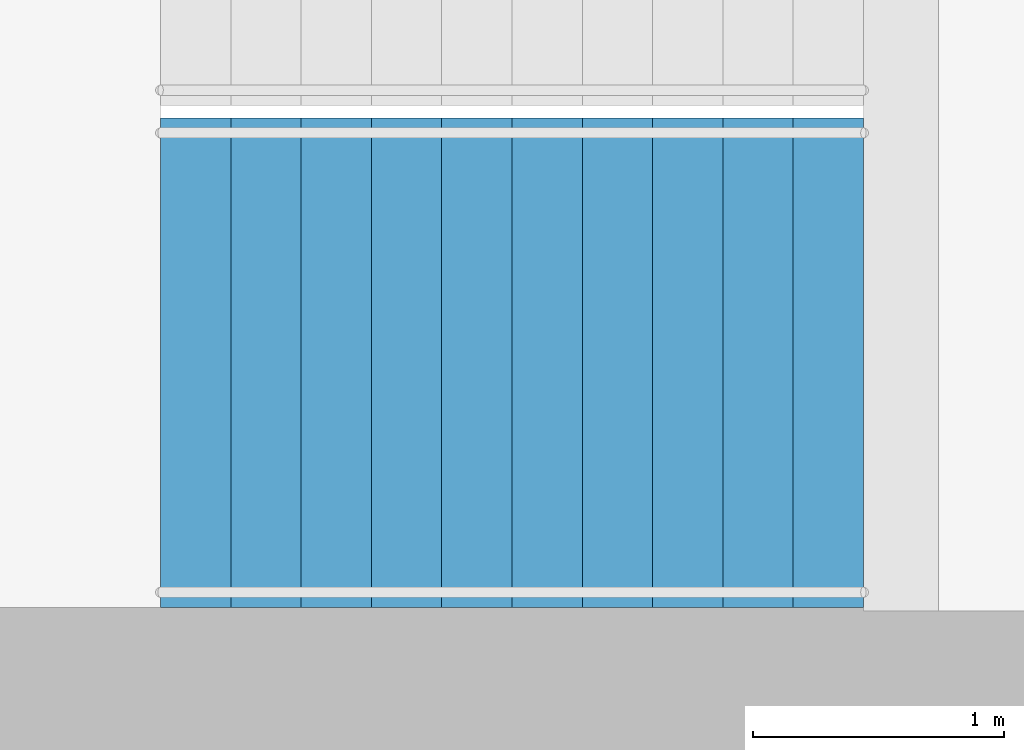
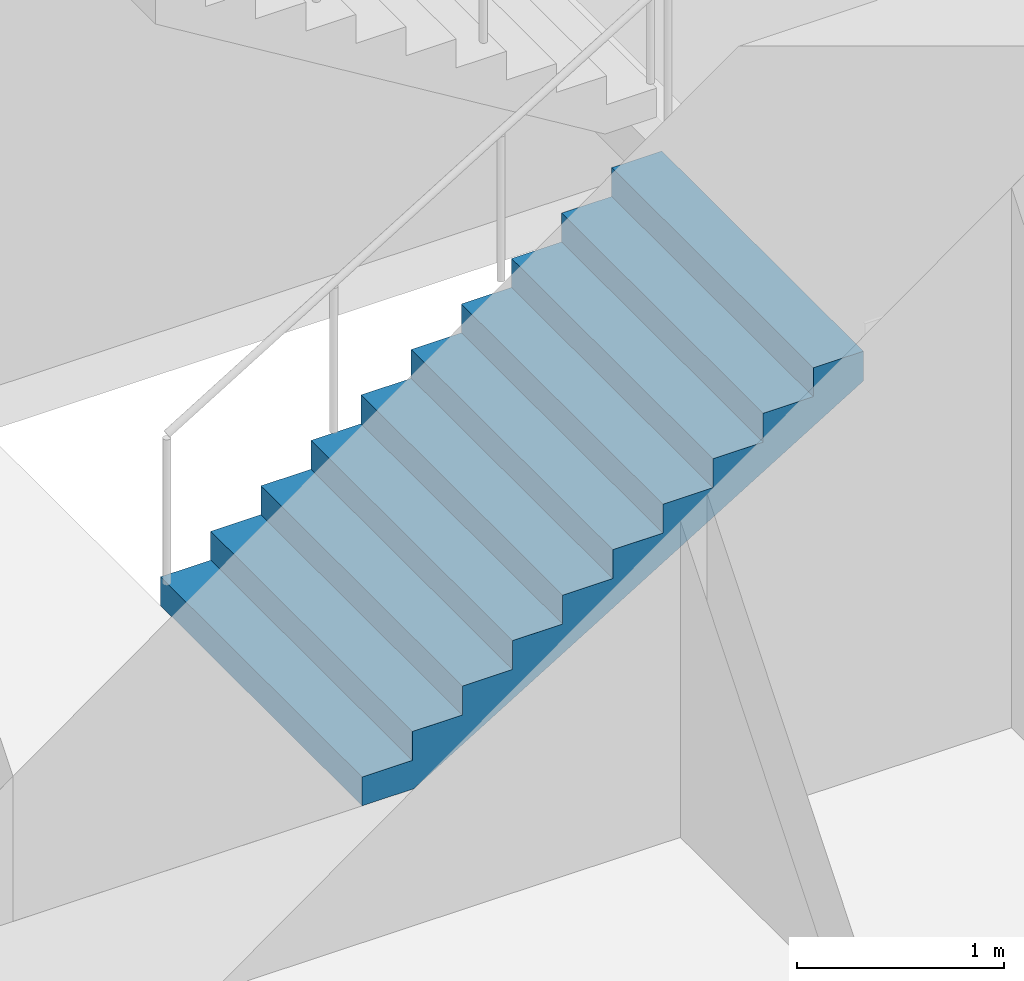
# One storey, part 19 of 23: 1 stair flight, 1 element without a shape of its own.
"""IFC4 building model written with IfcOpenShell, lengths in metres."""

from ifc_helpers import new_model, si_unit, direction, frame, origin, place, context, subcontext, project, spatial, triangles, material, type_object, element, aggregate, save


model = new_model("IFC4")

# Units and contexts
model_context = context("Model", 3, precision=1e-05, world=origin(), true_north=direction((0.0, 1.0)))
body_context = subcontext(model_context, "Body", "Model", "MODEL_VIEW")
ifc_project = project(units=[si_unit("LENGTHUNIT", "METRE"), si_unit("AREAUNIT", "SQUARE_METRE"), si_unit("VOLUMEUNIT", "CUBIC_METRE"), si_unit("PLANEANGLEUNIT", "RADIAN"), si_unit("MASSUNIT", "GRAM", prefix="KILO")], contexts=[model_context])

# Site, building, storey
site_placement = place(None, origin())
site = spatial("IfcSite", under=ifc_project, at=site_placement, CompositionType="ELEMENT")
building_placement = place(site_placement, origin())
building = spatial("IfcBuilding", under=site, at=building_placement, Name="Orbita Commons", CompositionType="ELEMENT")
storey_placement = place(building_placement, frame((0.0, 0.0, 61.449951171875)))
storey = spatial("IfcBuildingStorey", under=building, at=storey_placement, Name="L15", CompositionType="ELEMENT", Elevation=61.449951171875)

# Stair, stair flight
ifc_material_1 = material(Name="Precast concrete C40/50", Category="concrete")
stair_type = type_object("IfcStairType", Name="Exit stair S1 2 flights 11 risers 170", PredefinedType="HALF_TURN_STAIR", material=ifc_material_1)
stair_placement = place(storey_placement, origin())
stair = element("IfcStair", 1, at=stair_placement, inside=storey, type_object=stair_type, Name="Exit stair S1 L15", PredefinedType="HALF_TURN_STAIR")
ifc_material_2 = material(Name="Precast concrete C40/50", Category="concrete")
stair_flight_type = type_object("IfcStairFlightType", Name="Stair flight 11 risers 170 x 280", PredefinedType="STRAIGHT", material=ifc_material_2)
stair_flight_placement = place(storey_placement, frame((20.449951171875, 27.27490234375, 0.0), z_axis=(0.0, 0.0, 1.0), x_axis=(1.0, 0.0, 0.0)))
stair_flight = element("IfcStairFlight", 2, at=stair_flight_placement, type_object=stair_flight_type, Name="S1 flight 1", NumberOfRisers=11, NumberOfTreads=10, PredefinedType="STRAIGHT", RiserHeight=0.170454545, TreadLength=0.28, context=body_context, shape_type="Tessellation", body=[
    triangles([(0.0, 0.974976, 0.0), (0.0, 0.974976, 0.021307), (0.0, 0.81248, 0.021307), (0.0, 0.81248, 0.0), (0.0, 0.649984, 0.021307), (0.0, 0.649984, 0.0), (0.0, 0.487488, 0.021307), (0.0, 0.487488, 0.0), (0.0, 0.324992, 0.021307), (0.0, 0.324992, 0.0), (0.0, 0.162496, 0.021307), (0.0, 0.162496, 0.0), (0.0, 0.0, 0.021307), (0.0, 0.0, 0.0), (0.0, -0.162496, 0.021307), (0.0, -0.162496, 0.0), (0.0, -0.324992, 0.021307), (0.0, -0.324992, 0.0), (0.0, -0.487488, 0.021307), (0.0, -0.487488, 0.0), (0.0, -0.649984, 0.021307), (0.0, -0.649984, 0.0), (0.0, -0.81248, 0.021307), (0.0, -0.81248, 0.0), (0.0, -0.974976, 0.021307), (0.0, -0.974976, 0.0), (0.0, 0.974976, 0.042614), (0.0, 0.81248, 0.042614), (0.0, 0.649984, 0.042614), (0.0, 0.487488, 0.042614), (0.0, 0.324992, 0.042614), (0.0, 0.162496, 0.042614), (0.0, 0.0, 0.042614), (0.0, -0.162496, 0.042614), (0.0, -0.324992, 0.042614), (0.0, -0.487488, 0.042614), (0.0, -0.649984, 0.042614), (0.0, -0.81248, 0.042614), (0.0, -0.974976, 0.042614), (0.0, 0.974976, 0.06392), (0.0, 0.81248, 0.06392), (0.0, 0.649984, 0.06392), (0.0, 0.487488, 0.06392), (0.0, 0.324992, 0.06392), (0.0, 0.162496, 0.06392), (0.0, 0.0, 0.06392), (0.0, -0.162496, 0.06392), (0.0, -0.324992, 0.06392), (0.0, -0.487488, 0.06392), (0.0, -0.649984, 0.06392), (0.0, -0.81248, 0.06392), (0.0, -0.974976, 0.06392), (0.0, 0.974976, 0.085227), (0.0, 0.81248, 0.085227), (0.0, 0.649984, 0.085227), (0.0, 0.487488, 0.085227), (0.0, 0.324992, 0.085227), (0.0, 0.162496, 0.085227), (0.0, 0.0, 0.085227), (0.0, -0.162496, 0.085227), (0.0, -0.324992, 0.085227), (0.0, -0.487488, 0.085227), (0.0, -0.649984, 0.085227), (0.0, -0.81248, 0.085227), (0.0, -0.974976, 0.085227), (0.0, 0.974976, 0.106534), (0.0, 0.81248, 0.106534), (0.0, 0.649984, 0.106534), (0.0, 0.487488, 0.106534), (0.0, 0.324992, 0.106534), (0.0, 0.162496, 0.106534), (0.0, 0.0, 0.106534), (0.0, -0.162496, 0.106534), (0.0, -0.324992, 0.106534), (0.0, -0.487488, 0.106534), (0.0, -0.649984, 0.106534), (0.0, -0.81248, 0.106534), (0.0, -0.974976, 0.106534), (0.0, 0.974976, 0.127841), (0.0, 0.81248, 0.127841), (0.0, 0.649984, 0.127841), (0.0, 0.487488, 0.127841), (0.0, 0.324992, 0.127841), (0.0, 0.162496, 0.127841), (0.0, 0.0, 0.127841), (0.0, -0.162496, 0.127841), (0.0, -0.324992, 0.127841), (0.0, -0.487488, 0.127841), (0.0, -0.649984, 0.127841), (0.0, -0.81248, 0.127841), (0.0, -0.974976, 0.127841), (0.0, 0.974976, 0.149148), (0.0, 0.81248, 0.149148), (0.0, 0.649984, 0.149148), (0.0, 0.487488, 0.149148), (0.0, 0.324992, 0.149148), (0.0, 0.162496, 0.149148), (0.0, 0.0, 0.149148), (0.0, -0.162496, 0.149148), (0.0, -0.324992, 0.149148), (0.0, -0.487488, 0.149148), (0.0, -0.649984, 0.149148), (0.0, -0.81248, 0.149148), (0.0, -0.974976, 0.149148), (0.0, 0.974976, 0.170455), (0.0, 0.81248, 0.170455), (0.0, 0.649984, 0.170455), (0.0, 0.487488, 0.170455), (0.0, 0.324992, 0.170455), (0.0, 0.162496, 0.170455), (0.0, 0.0, 0.170455), (0.0, -0.162496, 0.170455), (0.0, -0.324992, 0.170455), (0.0, -0.487488, 0.170455), (0.0, -0.649984, 0.170455), (0.0, -0.81248, 0.170455), (0.0, -0.974976, 0.170455), (0.28, 0.974976, 0.170455), (0.28, 0.81248, 0.170455), (0.28, 0.649984, 0.170455), (0.28, 0.487488, 0.170455), (0.28, 0.324992, 0.170455), (0.28, 0.162496, 0.170455), (0.28, 0.0, 0.170455), (0.28, -0.162496, 0.170455), (0.28, -0.324992, 0.170455), (0.28, -0.487488, 0.170455), (0.28, -0.649984, 0.170455), (0.28, -0.81248, 0.170455), (0.28, -0.974976, 0.170455), (0.28, 0.974976, 0.340909), (0.28, 0.81248, 0.340909), (0.28, 0.649984, 0.340909), (0.28, 0.487488, 0.340909), (0.28, 0.324992, 0.340909), (0.28, 0.162496, 0.340909), (0.28, 0.0, 0.340909), (0.28, -0.162496, 0.340909), (0.28, -0.324992, 0.340909), (0.28, -0.487488, 0.340909), (0.28, -0.649984, 0.340909), (0.28, -0.81248, 0.340909), (0.28, -0.974976, 0.340909), (0.56, 0.974976, 0.340909), (0.56, 0.81248, 0.340909), (0.56, 0.649984, 0.340909), (0.56, 0.487488, 0.340909), (0.56, 0.324992, 0.340909), (0.56, 0.162496, 0.340909), (0.56, 0.0, 0.340909), (0.56, -0.162496, 0.340909), (0.56, -0.324992, 0.340909), (0.56, -0.487488, 0.340909), (0.56, -0.649984, 0.340909), (0.56, -0.81248, 0.340909), (0.56, -0.974976, 0.340909), (0.56, 0.974976, 0.511364), (0.56, 0.81248, 0.511364), (0.56, 0.649984, 0.511364), (0.56, 0.487488, 0.511364), (0.56, 0.324992, 0.511364), (0.56, 0.162496, 0.511364), (0.56, 0.0, 0.511364), (0.56, -0.162496, 0.511364), (0.56, -0.324992, 0.511364), (0.56, -0.487488, 0.511364), (0.56, -0.649984, 0.511364), (0.56, -0.81248, 0.511364), (0.56, -0.974976, 0.511364), (0.84, 0.974976, 0.511364), (0.84, 0.81248, 0.511364), (0.84, 0.649984, 0.511364), (0.84, 0.487488, 0.511364), (0.84, 0.324992, 0.511364), (0.84, 0.162496, 0.511364), (0.84, 0.0, 0.511364), (0.84, -0.162496, 0.511364), (0.84, -0.324992, 0.511364), (0.84, -0.487488, 0.511364), (0.84, -0.649984, 0.511364), (0.84, -0.81248, 0.511364), (0.84, -0.974976, 0.511364), (0.84, 0.974976, 0.681818), (0.84, 0.81248, 0.681818), (0.84, 0.649984, 0.681818), (0.84, 0.487488, 0.681818), (0.84, 0.324992, 0.681818), (0.84, 0.162496, 0.681818), (0.84, 0.0, 0.681818), (0.84, -0.162496, 0.681818), (0.84, -0.324992, 0.681818), (0.84, -0.487488, 0.681818), (0.84, -0.649984, 0.681818), (0.84, -0.81248, 0.681818), (0.84, -0.974976, 0.681818), (1.12, 0.974976, 0.681818), (1.12, 0.81248, 0.681818), (1.12, 0.649984, 0.681818), (1.12, 0.487488, 0.681818), (1.12, 0.324992, 0.681818), (1.12, 0.162496, 0.681818), (1.12, 0.0, 0.681818), (1.12, -0.162496, 0.681818), (1.12, -0.324992, 0.681818), (1.12, -0.487488, 0.681818), (1.12, -0.649984, 0.681818), (1.12, -0.81248, 0.681818), (1.12, -0.974976, 0.681818), (1.12, 0.974976, 0.852273), (1.12, 0.81248, 0.852273), (1.12, 0.649984, 0.852273), (1.12, 0.487488, 0.852273), (1.12, 0.324992, 0.852273), (1.12, 0.162496, 0.852273), (1.12, 0.0, 0.852273), (1.12, -0.162496, 0.852273), (1.12, -0.324992, 0.852273), (1.12, -0.487488, 0.852273), (1.12, -0.649984, 0.852273), (1.12, -0.81248, 0.852273), (1.12, -0.974976, 0.852273), (1.4, 0.974976, 0.852273), (1.4, 0.81248, 0.852273), (1.4, 0.649984, 0.852273), (1.4, 0.487488, 0.852273), (1.4, 0.324992, 0.852273), (1.4, 0.162496, 0.852273), (1.4, 0.0, 0.852273), (1.4, -0.162496, 0.852273), (1.4, -0.324992, 0.852273), (1.4, -0.487488, 0.852273), (1.4, -0.649984, 0.852273), (1.4, -0.81248, 0.852273), (1.4, -0.974976, 0.852273), (1.4, 0.974976, 1.022727), (1.4, 0.81248, 1.022727), (1.4, 0.649984, 1.022727), (1.4, 0.487488, 1.022727), (1.4, 0.324992, 1.022727), (1.4, 0.162496, 1.022727), (1.4, 0.0, 1.022727), (1.4, -0.162496, 1.022727), (1.4, -0.324992, 1.022727), (1.4, -0.487488, 1.022727), (1.4, -0.649984, 1.022727), (1.4, -0.81248, 1.022727), (1.4, -0.974976, 1.022727), (1.68, 0.974976, 1.022727), (1.68, 0.81248, 1.022727), (1.68, 0.649984, 1.022727), (1.68, 0.487488, 1.022727), (1.68, 0.324992, 1.022727), (1.68, 0.162496, 1.022727), (1.68, 0.0, 1.022727), (1.68, -0.162496, 1.022727), (1.68, -0.324992, 1.022727), (1.68, -0.487488, 1.022727), (1.68, -0.649984, 1.022727), (1.68, -0.81248, 1.022727), (1.68, -0.974976, 1.022727), (1.68, 0.974976, 1.193182), (1.68, 0.81248, 1.193182), (1.68, 0.649984, 1.193182), (1.68, 0.487488, 1.193182), (1.68, 0.324992, 1.193182), (1.68, 0.162496, 1.193182), (1.68, 0.0, 1.193182), (1.68, -0.162496, 1.193182), (1.68, -0.324992, 1.193182), (1.68, -0.487488, 1.193182), (1.68, -0.649984, 1.193182), (1.68, -0.81248, 1.193182), (1.68, -0.974976, 1.193182), (1.96, 0.974976, 1.193182), (1.96, 0.81248, 1.193182), (1.96, 0.649984, 1.193182), (1.96, 0.487488, 1.193182), (1.96, 0.324992, 1.193182), (1.96, 0.162496, 1.193182), (1.96, 0.0, 1.193182), (1.96, -0.162496, 1.193182), (1.96, -0.324992, 1.193182), (1.96, -0.487488, 1.193182), (1.96, -0.649984, 1.193182), (1.96, -0.81248, 1.193182), (1.96, -0.974976, 1.193182), (1.96, 0.974976, 1.363636), (1.96, 0.81248, 1.363636), (1.96, 0.649984, 1.363636), (1.96, 0.487488, 1.363636), (1.96, 0.324992, 1.363636), (1.96, 0.162496, 1.363636), (1.96, 0.0, 1.363636), (1.96, -0.162496, 1.363636), (1.96, -0.324992, 1.363636), (1.96, -0.487488, 1.363636), (1.96, -0.649984, 1.363636), (1.96, -0.81248, 1.363636), (1.96, -0.974976, 1.363636), (2.24, 0.974976, 1.363636), (2.24, 0.81248, 1.363636), (2.24, 0.649984, 1.363636), (2.24, 0.487488, 1.363636), (2.24, 0.324992, 1.363636), (2.24, 0.162496, 1.363636), (2.24, 0.0, 1.363636), (2.24, -0.162496, 1.363636), (2.24, -0.324992, 1.363636), (2.24, -0.487488, 1.363636), (2.24, -0.649984, 1.363636), (2.24, -0.81248, 1.363636), (2.24, -0.974976, 1.363636), (2.24, 0.974976, 1.534091), (2.24, 0.81248, 1.534091), (2.24, 0.649984, 1.534091), (2.24, 0.487488, 1.534091), (2.24, 0.324992, 1.534091), (2.24, 0.162496, 1.534091), (2.24, 0.0, 1.534091), (2.24, -0.162496, 1.534091), (2.24, -0.324992, 1.534091), (2.24, -0.487488, 1.534091), (2.24, -0.649984, 1.534091), (2.24, -0.81248, 1.534091), (2.24, -0.974976, 1.534091), (2.52, 0.974976, 1.534091), (2.52, 0.81248, 1.534091), (2.52, 0.649984, 1.534091), (2.52, 0.487488, 1.534091), (2.52, 0.324992, 1.534091), (2.52, 0.162496, 1.534091), (2.52, 0.0, 1.534091), (2.52, -0.162496, 1.534091), (2.52, -0.324992, 1.534091), (2.52, -0.487488, 1.534091), (2.52, -0.649984, 1.534091), (2.52, -0.81248, 1.534091), (2.52, -0.974976, 1.534091), (2.52, 0.974976, 1.704545), (2.52, 0.81248, 1.704545), (2.52, 0.649984, 1.704545), (2.52, 0.487488, 1.704545), (2.52, 0.324992, 1.704545), (2.52, 0.162496, 1.704545), (2.52, 0.0, 1.704545), (2.52, -0.162496, 1.704545), (2.52, -0.324992, 1.704545), (2.52, -0.487488, 1.704545), (2.52, -0.649984, 1.704545), (2.52, -0.81248, 1.704545), (2.52, -0.974976, 1.704545), (2.8, 0.974976, 1.704545), (2.8, 0.81248, 1.704545), (2.8, 0.649984, 1.704545), (2.8, 0.487488, 1.704545), (2.8, 0.324992, 1.704545), (2.8, 0.162496, 1.704545), (2.8, 0.0, 1.704545), (2.8, -0.162496, 1.704545), (2.8, -0.324992, 1.704545), (2.8, -0.487488, 1.704545), (2.8, -0.649984, 1.704545), (2.8, -0.81248, 1.704545), (2.8, -0.974976, 1.704545), (2.8, 0.974976, 1.682609), (2.8, 0.81248, 1.682609), (2.8, 0.649984, 1.682609), (2.8, 0.487488, 1.682609), (2.8, 0.324992, 1.682609), (2.8, 0.162496, 1.682609), (2.8, 0.0, 1.682609), (2.8, -0.162496, 1.682609), (2.8, -0.324992, 1.682609), (2.8, -0.487488, 1.682609), (2.8, -0.649984, 1.682609), (2.8, -0.81248, 1.682609), (2.8, -0.974976, 1.682609), (2.8, 0.974976, 1.660672), (2.8, 0.81248, 1.660672), (2.8, 0.649984, 1.660672), (2.8, 0.487488, 1.660672), (2.8, 0.324992, 1.660672), (2.8, 0.162496, 1.660672), (2.8, 0.0, 1.660672), (2.8, -0.162496, 1.660672), (2.8, -0.324992, 1.660672), (2.8, -0.487488, 1.660672), (2.8, -0.649984, 1.660672), (2.8, -0.81248, 1.660672), (2.8, -0.974976, 1.660672), (2.8, 0.974976, 1.638735), (2.8, 0.81248, 1.638735), (2.8, 0.649984, 1.638735), (2.8, 0.487488, 1.638735), (2.8, 0.324992, 1.638735), (2.8, 0.162496, 1.638735), (2.8, 0.0, 1.638735), (2.8, -0.162496, 1.638735), (2.8, -0.324992, 1.638735), (2.8, -0.487488, 1.638735), (2.8, -0.649984, 1.638735), (2.8, -0.81248, 1.638735), (2.8, -0.974976, 1.638735), (2.8, 0.974976, 1.616798), (2.8, 0.81248, 1.616798), (2.8, 0.649984, 1.616798), (2.8, 0.487488, 1.616798), (2.8, 0.324992, 1.616798), (2.8, 0.162496, 1.616798), (2.8, 0.0, 1.616798), (2.8, -0.162496, 1.616798), (2.8, -0.324992, 1.616798), (2.8, -0.487488, 1.616798), (2.8, -0.649984, 1.616798), (2.8, -0.81248, 1.616798), (2.8, -0.974976, 1.616798), (2.8, 0.974976, 1.594861), (2.8, 0.81248, 1.594861), (2.8, 0.649984, 1.594861), (2.8, 0.487488, 1.594861), (2.8, 0.324992, 1.594861), (2.8, 0.162496, 1.594861), (2.8, 0.0, 1.594861), (2.8, -0.162496, 1.594861), (2.8, -0.324992, 1.594861), (2.8, -0.487488, 1.594861), (2.8, -0.649984, 1.594861), (2.8, -0.81248, 1.594861), (2.8, -0.974976, 1.594861), (2.8, 0.974976, 1.572925), (2.8, 0.81248, 1.572925), (2.8, 0.649984, 1.572925), (2.8, 0.487488, 1.572925), (2.8, 0.324992, 1.572925), (2.8, 0.162496, 1.572925), (2.8, 0.0, 1.572925), (2.8, -0.162496, 1.572925), (2.8, -0.324992, 1.572925), (2.8, -0.487488, 1.572925), (2.8, -0.649984, 1.572925), (2.8, -0.81248, 1.572925), (2.8, -0.974976, 1.572925), (2.8, 0.974976, 1.550988), (2.8, 0.81248, 1.550988), (2.8, 0.649984, 1.550988), (2.8, 0.487488, 1.550988), (2.8, 0.324992, 1.550988), (2.8, 0.162496, 1.550988), (2.8, 0.0, 1.550988), (2.8, -0.162496, 1.550988), (2.8, -0.324992, 1.550988), (2.8, -0.487488, 1.550988), (2.8, -0.649984, 1.550988), (2.8, -0.81248, 1.550988), (2.8, -0.974976, 1.550988), (2.8, 0.974976, 1.529051), (2.8, 0.81248, 1.529051), (2.8, 0.649984, 1.529051), (2.8, 0.487488, 1.529051), (2.8, 0.324992, 1.529051), (2.8, 0.162496, 1.529051), (2.8, 0.0, 1.529051), (2.8, -0.162496, 1.529051), (2.8, -0.324992, 1.529051), (2.8, -0.487488, 1.529051), (2.8, -0.649984, 1.529051), (2.8, -0.81248, 1.529051), (2.8, -0.974976, 1.529051), (0.288279, 0.974976, 0.0), (0.288279, 0.81248, 0.0), (0.288279, 0.649984, 0.0), (0.288279, 0.487488, 0.0), (0.288279, 0.324992, 0.0), (0.288279, 0.162496, 0.0), (0.288279, 0.0, 0.0), (0.288279, -0.162496, 0.0), (0.288279, -0.324992, 0.0), (0.288279, -0.487488, 0.0), (0.288279, -0.649984, 0.0), (0.288279, -0.81248, 0.0), (0.288279, -0.974976, 0.0)], [[3, 2, 1], [4, 3, 1], [5, 3, 4], [6, 5, 4], [7, 5, 6], [8, 7, 6], [9, 7, 8], [10, 9, 8], [11, 9, 10], [12, 11, 10], [13, 11, 12], [14, 13, 12], [15, 13, 14], [16, 15, 14], [17, 15, 16], [18, 17, 16], [19, 17, 18], [20, 19, 18], [21, 19, 20], [22, 21, 20], [23, 21, 22], [24, 23, 22], [25, 23, 24], [26, 25, 24], [28, 27, 2], [3, 28, 2], [29, 28, 3], [5, 29, 3], [30, 29, 5], [7, 30, 5], [31, 30, 7], [9, 31, 7], [32, 31, 9], [11, 32, 9], [33, 32, 11], [13, 33, 11], [34, 33, 13], [15, 34, 13], [35, 34, 15], [17, 35, 15], [36, 35, 17], [19, 36, 17], [37, 36, 19], [21, 37, 19], [38, 37, 21], [23, 38, 21], [39, 38, 23], [25, 39, 23], [41, 40, 27], [28, 41, 27], [42, 41, 28], [29, 42, 28], [43, 42, 29], [30, 43, 29], [44, 43, 30], [31, 44, 30], [45, 44, 31], [32, 45, 31], [46, 45, 32], [33, 46, 32], [47, 46, 33], [34, 47, 33], [48, 47, 34], [35, 48, 34], [49, 48, 35], [36, 49, 35], [50, 49, 36], [37, 50, 36], [51, 50, 37], [38, 51, 37], [52, 51, 38], [39, 52, 38], [54, 53, 40], [41, 54, 40], [55, 54, 41], [42, 55, 41], [56, 55, 42], [43, 56, 42], [57, 56, 43], [44, 57, 43], [58, 57, 44], [45, 58, 44], [59, 58, 45], [46, 59, 45], [60, 59, 46], [47, 60, 46], [61, 60, 47], [48, 61, 47], [62, 61, 48], [49, 62, 48], [63, 62, 49], [50, 63, 49], [64, 63, 50], [51, 64, 50], [65, 64, 51], [52, 65, 51], [67, 66, 53], [54, 67, 53], [68, 67, 54], [55, 68, 54], [69, 68, 55], [56, 69, 55], [70, 69, 56], [57, 70, 56], [71, 70, 57], [58, 71, 57], [72, 71, 58], [59, 72, 58], [73, 72, 59], [60, 73, 59], [74, 73, 60], [61, 74, 60], [75, 74, 61], [62, 75, 61], [76, 75, 62], [63, 76, 62], [77, 76, 63], [64, 77, 63], [78, 77, 64], [65, 78, 64], [80, 79, 66], [67, 80, 66], [81, 80, 67], [68, 81, 67], [82, 81, 68], [69, 82, 68], [83, 82, 69], [70, 83, 69], [84, 83, 70], [71, 84, 70], [85, 84, 71], [72, 85, 71], [86, 85, 72], [73, 86, 72], [87, 86, 73], [74, 87, 73], [88, 87, 74], [75, 88, 74], [89, 88, 75], [76, 89, 75], [90, 89, 76], [77, 90, 76], [91, 90, 77], [78, 91, 77], [93, 92, 79], [80, 93, 79], [94, 93, 80], [81, 94, 80], [95, 94, 81], [82, 95, 81], [96, 95, 82], [83, 96, 82], [97, 96, 83], [84, 97, 83], [98, 97, 84], [85, 98, 84], [99, 98, 85], [86, 99, 85], [100, 99, 86], [87, 100, 86], [101, 100, 87], [88, 101, 87], [102, 101, 88], [89, 102, 88], [103, 102, 89], [90, 103, 89], [104, 103, 90], [91, 104, 90], [106, 105, 92], [93, 106, 92], [107, 106, 93], [94, 107, 93], [108, 107, 94], [95, 108, 94], [109, 108, 95], [96, 109, 95], [110, 109, 96], [97, 110, 96], [111, 110, 97], [98, 111, 97], [112, 111, 98], [99, 112, 98], [113, 112, 99], [100, 113, 99], [114, 113, 100], [101, 114, 100], [115, 114, 101], [102, 115, 101], [116, 115, 102], [103, 116, 102], [117, 116, 103], [104, 117, 103], [119, 118, 105], [106, 119, 105], [120, 119, 106], [107, 120, 106], [121, 120, 107], [108, 121, 107], [122, 121, 108], [109, 122, 108], [123, 122, 109], [110, 123, 109], [124, 123, 110], [111, 124, 110], [125, 124, 111], [112, 125, 111], [126, 125, 112], [113, 126, 112], [127, 126, 113], [114, 127, 113], [128, 127, 114], [115, 128, 114], [129, 128, 115], [116, 129, 115], [130, 129, 116], [117, 130, 116], [132, 131, 118], [119, 132, 118], [133, 132, 119], [120, 133, 119], [134, 133, 120], [121, 134, 120], [135, 134, 121], [122, 135, 121], [136, 135, 122], [123, 136, 122], [137, 136, 123], [124, 137, 123], [138, 137, 124], [125, 138, 124], [139, 138, 125], [126, 139, 125], [140, 139, 126], [127, 140, 126], [141, 140, 127], [128, 141, 127], [142, 141, 128], [129, 142, 128], [143, 142, 129], [130, 143, 129], [145, 144, 131], [132, 145, 131], [146, 145, 132], [133, 146, 132], [147, 146, 133], [134, 147, 133], [148, 147, 134], [135, 148, 134], [149, 148, 135], [136, 149, 135], [150, 149, 136], [137, 150, 136], [151, 150, 137], [138, 151, 137], [152, 151, 138], [139, 152, 138], [153, 152, 139], [140, 153, 139], [154, 153, 140], [141, 154, 140], [155, 154, 141], [142, 155, 141], [156, 155, 142], [143, 156, 142], [158, 157, 144], [145, 158, 144], [159, 158, 145], [146, 159, 145], [160, 159, 146], [147, 160, 146], [161, 160, 147], [148, 161, 147], [162, 161, 148], [149, 162, 148], [163, 162, 149], [150, 163, 149], [164, 163, 150], [151, 164, 150], [165, 164, 151], [152, 165, 151], [166, 165, 152], [153, 166, 152], [167, 166, 153], [154, 167, 153], [168, 167, 154], [155, 168, 154], [169, 168, 155], [156, 169, 155], [171, 170, 157], [158, 171, 157], [172, 171, 158], [159, 172, 158], [173, 172, 159], [160, 173, 159], [174, 173, 160], [161, 174, 160], [175, 174, 161], [162, 175, 161], [176, 175, 162], [163, 176, 162], [177, 176, 163], [164, 177, 163], [178, 177, 164], [165, 178, 164], [179, 178, 165], [166, 179, 165], [180, 179, 166], [167, 180, 166], [181, 180, 167], [168, 181, 167], [182, 181, 168], [169, 182, 168], [184, 183, 170], [171, 184, 170], [185, 184, 171], [172, 185, 171], [186, 185, 172], [173, 186, 172], [187, 186, 173], [174, 187, 173], [188, 187, 174], [175, 188, 174], [189, 188, 175], [176, 189, 175], [190, 189, 176], [177, 190, 176], [191, 190, 177], [178, 191, 177], [192, 191, 178], [179, 192, 178], [193, 192, 179], [180, 193, 179], [194, 193, 180], [181, 194, 180], [195, 194, 181], [182, 195, 181], [197, 196, 183], [184, 197, 183], [198, 197, 184], [185, 198, 184], [199, 198, 185], [186, 199, 185], [200, 199, 186], [187, 200, 186], [201, 200, 187], [188, 201, 187], [202, 201, 188], [189, 202, 188], [203, 202, 189], [190, 203, 189], [204, 203, 190], [191, 204, 190], [205, 204, 191], [192, 205, 191], [206, 205, 192], [193, 206, 192], [207, 206, 193], [194, 207, 193], [208, 207, 194], [195, 208, 194], [210, 209, 196], [197, 210, 196], [211, 210, 197], [198, 211, 197], [212, 211, 198], [199, 212, 198], [213, 212, 199], [200, 213, 199], [214, 213, 200], [201, 214, 200], [215, 214, 201], [202, 215, 201], [216, 215, 202], [203, 216, 202], [217, 216, 203], [204, 217, 203], [218, 217, 204], [205, 218, 204], [219, 218, 205], [206, 219, 205], [220, 219, 206], [207, 220, 206], [221, 220, 207], [208, 221, 207], [223, 222, 209], [210, 223, 209], [224, 223, 210], [211, 224, 210], [225, 224, 211], [212, 225, 211], [226, 225, 212], [213, 226, 212], [227, 226, 213], [214, 227, 213], [228, 227, 214], [215, 228, 214], [229, 228, 215], [216, 229, 215], [230, 229, 216], [217, 230, 216], [231, 230, 217], [218, 231, 217], [232, 231, 218], [219, 232, 218], [233, 232, 219], [220, 233, 219], [234, 233, 220], [221, 234, 220], [236, 235, 222], [223, 236, 222], [237, 236, 223], [224, 237, 223], [238, 237, 224], [225, 238, 224], [239, 238, 225], [226, 239, 225], [240, 239, 226], [227, 240, 226], [241, 240, 227], [228, 241, 227], [242, 241, 228], [229, 242, 228], [243, 242, 229], [230, 243, 229], [244, 243, 230], [231, 244, 230], [245, 244, 231], [232, 245, 231], [246, 245, 232], [233, 246, 232], [247, 246, 233], [234, 247, 233], [249, 248, 235], [236, 249, 235], [250, 249, 236], [237, 250, 236], [251, 250, 237], [238, 251, 237], [252, 251, 238], [239, 252, 238], [253, 252, 239], [240, 253, 239], [254, 253, 240], [241, 254, 240], [255, 254, 241], [242, 255, 241], [256, 255, 242], [243, 256, 242], [257, 256, 243], [244, 257, 243], [258, 257, 244], [245, 258, 244], [259, 258, 245], [246, 259, 245], [260, 259, 246], [247, 260, 246], [262, 261, 248], [249, 262, 248], [263, 262, 249], [250, 263, 249], [264, 263, 250], [251, 264, 250], [265, 264, 251], [252, 265, 251], [266, 265, 252], [253, 266, 252], [267, 266, 253], [254, 267, 253], [268, 267, 254], [255, 268, 254], [269, 268, 255], [256, 269, 255], [270, 269, 256], [257, 270, 256], [271, 270, 257], [258, 271, 257], [272, 271, 258], [259, 272, 258], [273, 272, 259], [260, 273, 259], [275, 274, 261], [262, 275, 261], [276, 275, 262], [263, 276, 262], [277, 276, 263], [264, 277, 263], [278, 277, 264], [265, 278, 264], [279, 278, 265], [266, 279, 265], [280, 279, 266], [267, 280, 266], [281, 280, 267], [268, 281, 267], [282, 281, 268], [269, 282, 268], [283, 282, 269], [270, 283, 269], [284, 283, 270], [271, 284, 270], [285, 284, 271], [272, 285, 271], [286, 285, 272], [273, 286, 272], [288, 287, 274], [275, 288, 274], [289, 288, 275], [276, 289, 275], [290, 289, 276], [277, 290, 276], [291, 290, 277], [278, 291, 277], [292, 291, 278], [279, 292, 278], [293, 292, 279], [280, 293, 279], [294, 293, 280], [281, 294, 280], [295, 294, 281], [282, 295, 281], [296, 295, 282], [283, 296, 282], [297, 296, 283], [284, 297, 283], [298, 297, 284], [285, 298, 284], [299, 298, 285], [286, 299, 285], [301, 300, 287], [288, 301, 287], [302, 301, 288], [289, 302, 288], [303, 302, 289], [290, 303, 289], [304, 303, 290], [291, 304, 290], [305, 304, 291], [292, 305, 291], [306, 305, 292], [293, 306, 292], [307, 306, 293], [294, 307, 293], [308, 307, 294], [295, 308, 294], [309, 308, 295], [296, 309, 295], [310, 309, 296], [297, 310, 296], [311, 310, 297], [298, 311, 297], [312, 311, 298], [299, 312, 298], [314, 313, 300], [301, 314, 300], [315, 314, 301], [302, 315, 301], [316, 315, 302], [303, 316, 302], [317, 316, 303], [304, 317, 303], [318, 317, 304], [305, 318, 304], [319, 318, 305], [306, 319, 305], [320, 319, 306], [307, 320, 306], [321, 320, 307], [308, 321, 307], [322, 321, 308], [309, 322, 308], [323, 322, 309], [310, 323, 309], [324, 323, 310], [311, 324, 310], [325, 324, 311], [312, 325, 311], [327, 326, 313], [314, 327, 313], [328, 327, 314], [315, 328, 314], [329, 328, 315], [316, 329, 315], [330, 329, 316], [317, 330, 316], [331, 330, 317], [318, 331, 317], [332, 331, 318], [319, 332, 318], [333, 332, 319], [320, 333, 319], [334, 333, 320], [321, 334, 320], [335, 334, 321], [322, 335, 321], [336, 335, 322], [323, 336, 322], [337, 336, 323], [324, 337, 323], [338, 337, 324], [325, 338, 324], [340, 339, 326], [327, 340, 326], [341, 340, 327], [328, 341, 327], [342, 341, 328], [329, 342, 328], [343, 342, 329], [330, 343, 329], [344, 343, 330], [331, 344, 330], [345, 344, 331], [332, 345, 331], [346, 345, 332], [333, 346, 332], [347, 346, 333], [334, 347, 333], [348, 347, 334], [335, 348, 334], [349, 348, 335], [336, 349, 335], [350, 349, 336], [337, 350, 336], [351, 350, 337], [338, 351, 337], [353, 352, 339], [340, 353, 339], [354, 353, 340], [341, 354, 340], [355, 354, 341], [342, 355, 341], [356, 355, 342], [343, 356, 342], [357, 356, 343], [344, 357, 343], [358, 357, 344], [345, 358, 344], [359, 358, 345], [346, 359, 345], [360, 359, 346], [347, 360, 346], [361, 360, 347], [348, 361, 347], [362, 361, 348], [349, 362, 348], [363, 362, 349], [350, 363, 349], [364, 363, 350], [351, 364, 350], [366, 365, 352], [353, 366, 352], [367, 366, 353], [354, 367, 353], [368, 367, 354], [355, 368, 354], [369, 368, 355], [356, 369, 355], [370, 369, 356], [357, 370, 356], [371, 370, 357], [358, 371, 357], [372, 371, 358], [359, 372, 358], [373, 372, 359], [360, 373, 359], [374, 373, 360], [361, 374, 360], [375, 374, 361], [362, 375, 361], [376, 375, 362], [363, 376, 362], [377, 376, 363], [364, 377, 363], [379, 378, 365], [366, 379, 365], [380, 379, 366], [367, 380, 366], [381, 380, 367], [368, 381, 367], [382, 381, 368], [369, 382, 368], [383, 382, 369], [370, 383, 369], [384, 383, 370], [371, 384, 370], [385, 384, 371], [372, 385, 371], [386, 385, 372], [373, 386, 372], [387, 386, 373], [374, 387, 373], [388, 387, 374], [375, 388, 374], [389, 388, 375], [376, 389, 375], [390, 389, 376], [377, 390, 376], [392, 391, 378], [379, 392, 378], [393, 392, 379], [380, 393, 379], [394, 393, 380], [381, 394, 380], [395, 394, 381], [382, 395, 381], [396, 395, 382], [383, 396, 382], [397, 396, 383], [384, 397, 383], [398, 397, 384], [385, 398, 384], [399, 398, 385], [386, 399, 385], [400, 399, 386], [387, 400, 386], [401, 400, 387], [388, 401, 387], [402, 401, 388], [389, 402, 388], [403, 402, 389], [390, 403, 389], [405, 404, 391], [392, 405, 391], [406, 405, 392], [393, 406, 392], [407, 406, 393], [394, 407, 393], [408, 407, 394], [395, 408, 394], [409, 408, 395], [396, 409, 395], [410, 409, 396], [397, 410, 396], [411, 410, 397], [398, 411, 397], [412, 411, 398], [399, 412, 398], [413, 412, 399], [400, 413, 399], [414, 413, 400], [401, 414, 400], [415, 414, 401], [402, 415, 401], [416, 415, 402], [403, 416, 402], [418, 417, 404], [405, 418, 404], [419, 418, 405], [406, 419, 405], [420, 419, 406], [407, 420, 406], [421, 420, 407], [408, 421, 407], [422, 421, 408], [409, 422, 408], [423, 422, 409], [410, 423, 409], [424, 423, 410], [411, 424, 410], [425, 424, 411], [412, 425, 411], [426, 425, 412], [413, 426, 412], [427, 426, 413], [414, 427, 413], [428, 427, 414], [415, 428, 414], [429, 428, 415], [416, 429, 415], [431, 430, 417], [418, 431, 417], [432, 431, 418], [419, 432, 418], [433, 432, 419], [420, 433, 419], [434, 433, 420], [421, 434, 420], [435, 434, 421], [422, 435, 421], [436, 435, 422], [423, 436, 422], [437, 436, 423], [424, 437, 423], [438, 437, 424], [425, 438, 424], [439, 438, 425], [426, 439, 425], [440, 439, 426], [427, 440, 426], [441, 440, 427], [428, 441, 427], [442, 441, 428], [429, 442, 428], [444, 443, 430], [431, 444, 430], [445, 444, 431], [432, 445, 431], [446, 445, 432], [433, 446, 432], [447, 446, 433], [434, 447, 433], [448, 447, 434], [435, 448, 434], [449, 448, 435], [436, 449, 435], [450, 449, 436], [437, 450, 436], [451, 450, 437], [438, 451, 437], [452, 451, 438], [439, 452, 438], [453, 452, 439], [440, 453, 439], [454, 453, 440], [441, 454, 440], [455, 454, 441], [442, 455, 441], [457, 456, 443], [444, 457, 443], [458, 457, 444], [445, 458, 444], [459, 458, 445], [446, 459, 445], [460, 459, 446], [447, 460, 446], [461, 460, 447], [448, 461, 447], [462, 461, 448], [449, 462, 448], [463, 462, 449], [450, 463, 449], [464, 463, 450], [451, 464, 450], [465, 464, 451], [452, 465, 451], [466, 465, 452], [453, 466, 452], [467, 466, 453], [454, 467, 453], [468, 467, 454], [455, 468, 454], [470, 469, 456], [457, 470, 456], [471, 470, 457], [458, 471, 457], [472, 471, 458], [459, 472, 458], [473, 472, 459], [460, 473, 459], [474, 473, 460], [461, 474, 460], [475, 474, 461], [462, 475, 461], [476, 475, 462], [463, 476, 462], [477, 476, 463], [464, 477, 463], [478, 477, 464], [465, 478, 464], [479, 478, 465], [466, 479, 465], [480, 479, 466], [467, 480, 466], [481, 480, 467], [468, 481, 467], [4, 1, 469], [470, 4, 469], [6, 4, 470], [471, 6, 470], [8, 6, 471], [472, 8, 471], [10, 8, 472], [473, 10, 472], [12, 10, 473], [474, 12, 473], [14, 12, 474], [475, 14, 474], [16, 14, 475], [476, 16, 475], [18, 16, 476], [477, 18, 476], [20, 18, 477], [478, 20, 477], [22, 20, 478], [479, 22, 478], [24, 22, 479], [480, 24, 479], [26, 24, 480], [481, 26, 480], [456, 469, 1], [26, 481, 468], [443, 456, 1], [26, 468, 455], [430, 443, 1], [26, 455, 442], [417, 430, 1], [26, 442, 429], [404, 417, 1], [26, 429, 416], [391, 404, 1], [26, 416, 403], [378, 391, 1], [26, 403, 390], [365, 378, 1], [26, 390, 377], [339, 352, 365], [377, 364, 351], [326, 339, 365], [377, 351, 338], [300, 313, 326], [338, 325, 312], [300, 326, 365], [377, 338, 312], [274, 287, 300], [312, 299, 286], [274, 300, 365], [377, 312, 286], [248, 261, 274], [286, 273, 260], [248, 274, 365], [377, 286, 260], [222, 235, 248], [260, 247, 234], [222, 248, 365], [377, 260, 234], [196, 209, 222], [234, 221, 208], [196, 222, 365], [377, 234, 208], [170, 183, 196], [208, 195, 182], [170, 196, 365], [377, 208, 182], [144, 157, 170], [182, 169, 156], [144, 170, 365], [377, 182, 156], [118, 131, 144], [156, 143, 130], [118, 144, 365], [377, 156, 130], [118, 365, 1], [26, 377, 130], [92, 105, 118], [130, 117, 104], [79, 92, 118], [130, 104, 91], [66, 79, 118], [130, 91, 78], [53, 66, 118], [130, 78, 65], [40, 53, 118], [130, 65, 52], [27, 40, 118], [130, 52, 39], [2, 27, 118], [130, 39, 25], [1, 2, 118], [130, 25, 26]], closed=True),
])
aggregate(stair, [stair_flight])

save(model, "model.ifc")
